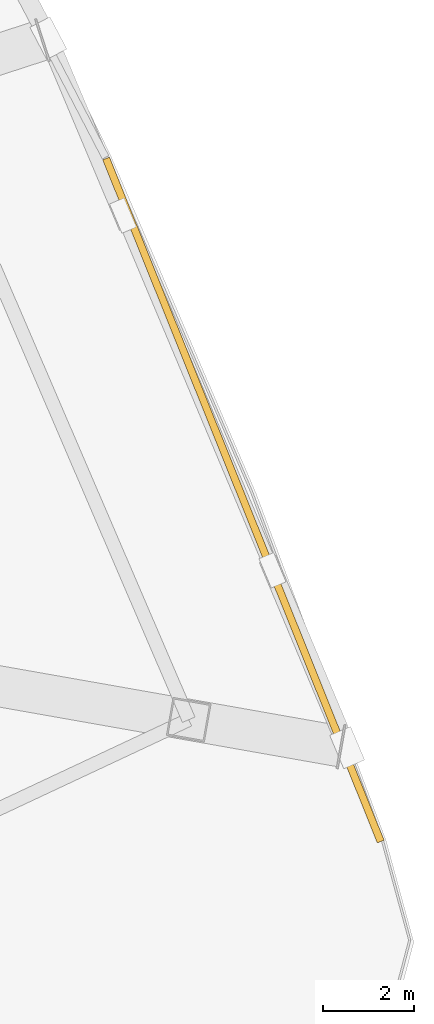
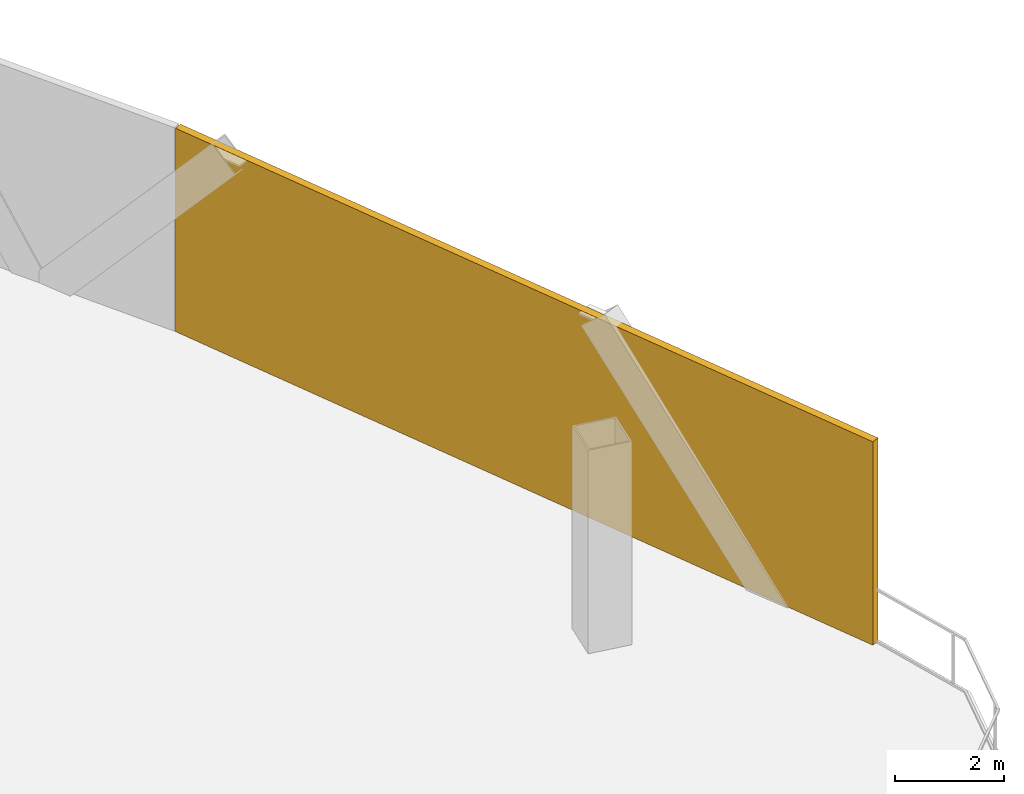
# One storey, part 14 of 14: 1 shading device.
"""IFC4 building model written with IfcOpenShell, lengths in metres."""

from ifc_helpers import new_model, si_unit, direction, frame, origin, origin_2d, place, context, subcontext, project, spatial, rectangle, extrude, source, transform, mapped, material, layer, layer_set, type_object, element, save


model = new_model("IFC4")

# Units and contexts
model_context = context("Model", 3, precision=1e-05, world=origin(), true_north=direction((0.0, 1.0)))
body_context = subcontext(model_context, "Body", "Model", "MODEL_VIEW")
ifc_project = project(units=[si_unit("LENGTHUNIT", "METRE"), si_unit("AREAUNIT", "SQUARE_METRE"), si_unit("VOLUMEUNIT", "CUBIC_METRE"), si_unit("PLANEANGLEUNIT", "RADIAN"), si_unit("MASSUNIT", "GRAM", prefix="KILO"), si_unit("THERMODYNAMICTEMPERATUREUNIT", "KELVIN"), si_unit("POWERUNIT", "WATT")], contexts=[model_context])

# Site, building, storey
site_placement = place(None, origin())
site = spatial("IfcSite", under=ifc_project, at=site_placement, CompositionType="ELEMENT")
building_placement = place(site_placement, origin())
building = spatial("IfcBuilding", under=site, at=building_placement, Name="Yunzhuo Pagoda Commons", CompositionType="ELEMENT")
storey_placement = place(building_placement, frame((0.0, 0.0, 224.81005859375)))
storey = spatial("IfcBuildingStorey", under=building, at=storey_placement, Name="L56", CompositionType="ELEMENT", Elevation=224.81005859375)

# Shading device
ifc_material = material(Name="Anodized aluminium 6063-T6", Category="aluminium")
ifc_layer = layer(ifc_material, 0.159912109375)
ifc_layer_set = layer_set([ifc_layer], Name="Anodized aluminium 6063-T6")
shading_device_type = type_object("IfcShadingDeviceType", Name="SH-SCR1 Stormproof Refuge Louvre Screen", PredefinedType="JALOUSIE", material=ifc_layer_set)
shared_shape = source(origin(), body_context, "Body", "SweptSolid", [
    extrude(rectangle(XDim=16.2041015625, YDim=0.159912109375, at=origin_2d()), origin(), (0.0, 0.0, 1.0), 4.5400390625),
])
shading_device_placement = place(storey_placement, frame((81.137451171875, 32.90576171875, 0.0), z_axis=(0.0, 0.0, 1.0), x_axis=(-0.372987782576, 0.927836253899, 0.0)))
element("IfcShadingDevice", 1, at=shading_device_placement, inside=storey, type_object=shading_device_type, Name="L56 stormproof refuge louvre screen F2.1", PredefinedType="JALOUSIE", context=body_context, shape_type="MappedRepresentation", body=[
    mapped(shared_shape, transform((0.0, 0.0, 0.0), scale=1.0)),
])

save(model, "model.ifc")
